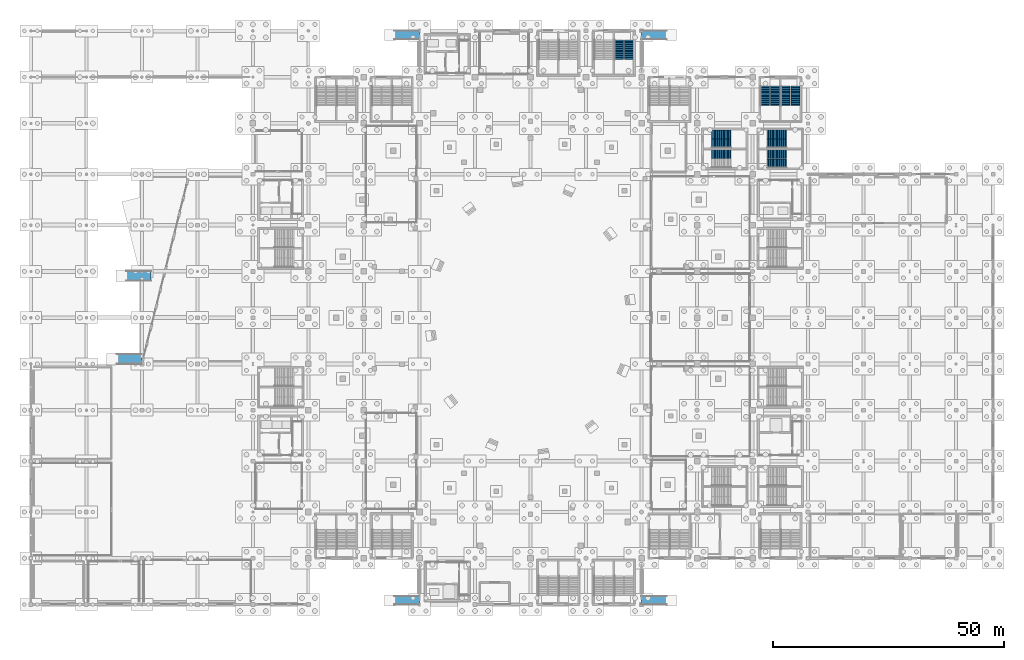
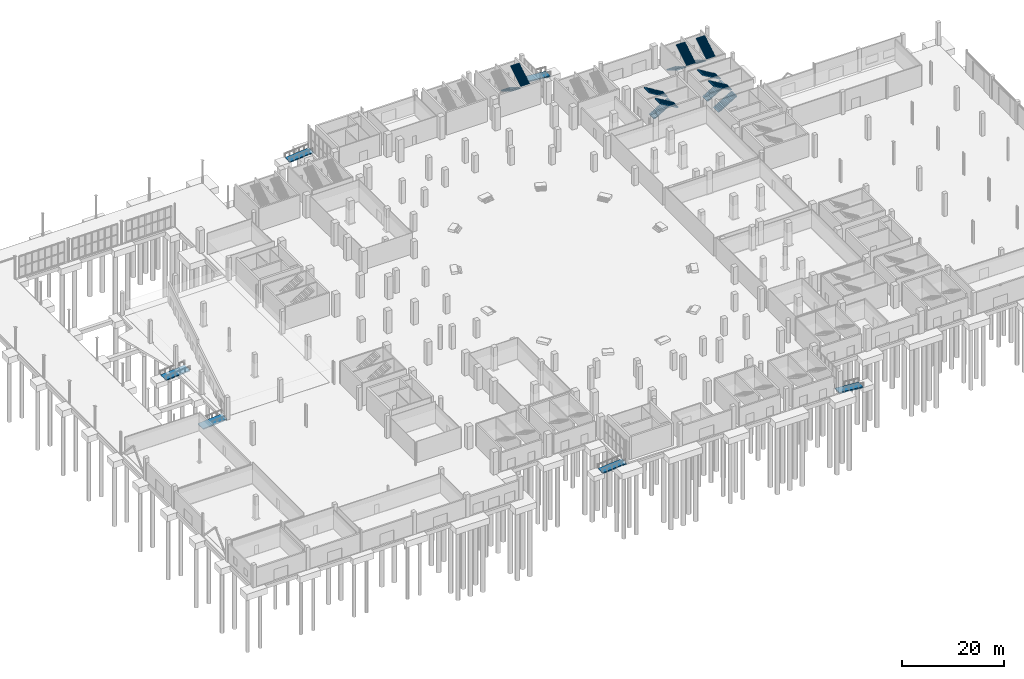
# One storey, part 62 of 70: 13 stair flights, 6 ramp flights, 13 elements without a shape of their own.
"""IFC4 building model written with IfcOpenShell, lengths in metres."""

from ifc_helpers import new_model, si_unit, direction, frame, origin, place, context, subcontext, project, spatial, polyline, outline, extrude, material, layer, layer_set, type_object, element, aggregate, save


model = new_model("IFC4")

# Units and contexts
model_context = context("Model", 3, precision=1e-05, world=origin(), true_north=direction((0.0, 1.0)))
body_context = subcontext(model_context, "Body", "Model", "MODEL_VIEW")
ifc_project = project(units=[si_unit("LENGTHUNIT", "METRE"), si_unit("AREAUNIT", "SQUARE_METRE"), si_unit("VOLUMEUNIT", "CUBIC_METRE"), si_unit("PLANEANGLEUNIT", "RADIAN"), si_unit("MASSUNIT", "GRAM", prefix="KILO")], contexts=[model_context])

# Site, building, storey
site_placement = place(None, origin())
site = spatial("IfcSite", under=ifc_project, at=site_placement, CompositionType="ELEMENT")
building_placement = place(site_placement, origin())
building = spatial("IfcBuilding", under=site, at=building_placement, Name="Brinegate Civic Arena", CompositionType="ELEMENT")
storey_placement = place(building_placement, origin())
storey = spatial("IfcBuildingStorey", under=building, at=storey_placement, Name="L00", CompositionType="ELEMENT", Elevation=0.0)

# Stair, stair flights
ifc_material_1 = material(Name="Concrete C40/50", Category="concrete")
stair_type_1 = type_object("IfcStairType", Name="STAIR-EXIT-3700", PredefinedType="HALF_TURN_STAIR", material=ifc_material_1)
stair_1_placement = place(storey_placement, origin())
stair_1 = element("IfcStair", 1, at=stair_1_placement, inside=storey, type_object=stair_type_1, Name="Protected Exit Stair ST-03B (L00)", PredefinedType="HALF_TURN_STAIR")
ifc_layer_1 = layer(ifc_material_1, 0.179931640625, Name="Concrete C40/50")
ifc_layer_set_1 = layer_set([ifc_layer_1], Name="Concrete C40/50")
stair_flight_type_1 = type_object("IfcStairFlightType", Name="FLIGHT-EXIT-3700", PredefinedType="STRAIGHT", material=ifc_layer_set_1)
stair_flight_1_placement = place(storey_placement, frame((127.139892578125, 122.030029296875, 0.0), z_axis=(0.0, 0.0, 1.0), x_axis=(0.0, -1.0, 0.0)))
stair_flight_1 = element("IfcStairFlight", 2, at=stair_flight_1_placement, type_object=stair_flight_type_1, Name="ST-03B flight 1", NumberOfRisers=16, NumberOfTreads=15, PredefinedType="STRAIGHT", RiserHeight=0.16875, TreadLength=0.28, context=body_context, shape_type="SweptSolid", body=[
    extrude(outline(polyline([(0.0, 0.0), (0.0, 0.168701171875), (0.280029296875, 0.168701171875), (0.280029296875, 0.33740234375), (0.56005859375, 0.33740234375), (0.56005859375, 0.50634765625), (0.840087890625, 0.50634765625), (0.840087890625, 0.675048828125), (1.1201171875, 0.675048828125), (1.1201171875, 0.84375), (1.39990234375, 0.84375), (1.39990234375, 1.012451171875), (1.679931640625, 1.012451171875), (1.679931640625, 1.18115234375), (1.9599609375, 1.18115234375), (1.9599609375, 1.35009765625), (2.239990234375, 1.35009765625), (2.239990234375, 1.518798828125), (2.52001953125, 1.518798828125), (2.52001953125, 1.6875), (2.800048828125, 1.6875), (2.800048828125, 1.856201171875), (3.080078125, 1.856201171875), (3.080078125, 2.02490234375), (3.360107421875, 2.02490234375), (3.360107421875, 2.19384765625), (3.639892578125, 2.19384765625), (3.639892578125, 2.362548828125), (3.919921875, 2.362548828125), (3.919921875, 2.53125), (4.199951171875, 2.53125), (4.199951171875, 2.699951171875), (4.199951171875, 2.3212890625), (0.3486328125, 0.0), (0.0, 0.0)])), frame((0.0, 0.97998046875, 0.0), z_axis=(0.0, -1.0, 0.0), x_axis=(1.0, 0.0, 0.0)), (0.0, 0.0, 1.0), 1.9599609375),
])
stair_flight_2_placement = place(storey_placement, frame((129.260009765625, 117.830078125, 2.699951171875), z_axis=(0.0, 0.0, 1.0), x_axis=(0.0, 1.0, 0.0)))
stair_flight_2 = element("IfcStairFlight", 3, at=stair_flight_2_placement, type_object=stair_flight_type_1, Name="ST-03B flight 2", NumberOfRisers=16, NumberOfTreads=15, PredefinedType="STRAIGHT", RiserHeight=0.16875, TreadLength=0.28, context=body_context, shape_type="SweptSolid", body=[
    extrude(outline(polyline([(0.0, 0.0), (0.0, 0.168701171875), (0.280029296875, 0.168701171875), (0.280029296875, 0.33740234375), (0.56005859375, 0.33740234375), (0.56005859375, 0.50634765625), (0.840087890625, 0.50634765625), (0.840087890625, 0.675048828125), (1.1201171875, 0.675048828125), (1.1201171875, 0.84375), (1.39990234375, 0.84375), (1.39990234375, 1.012451171875), (1.679931640625, 1.012451171875), (1.679931640625, 1.18115234375), (1.9599609375, 1.18115234375), (1.9599609375, 1.35009765625), (2.239990234375, 1.35009765625), (2.239990234375, 1.518798828125), (2.52001953125, 1.518798828125), (2.52001953125, 1.6875), (2.800048828125, 1.6875), (2.800048828125, 1.856201171875), (3.080078125, 1.856201171875), (3.080078125, 2.02490234375), (3.360107421875, 2.02490234375), (3.360107421875, 2.19384765625), (3.639892578125, 2.19384765625), (3.639892578125, 2.362548828125), (3.919921875, 2.362548828125), (3.919921875, 2.53125), (4.199951171875, 2.53125), (4.199951171875, 2.699951171875), (4.199951171875, 2.3212890625), (0.3486328125, 0.0), (0.0, 0.0)])), frame((0.0, 0.97998046875, 0.0), z_axis=(0.0, -1.0, 0.0), x_axis=(1.0, 0.0, 0.0)), (0.0, 0.0, 1.0), 1.9599609375),
])
aggregate(stair_1, [stair_flight_1, stair_flight_2])

stair_2_placement = place(storey_placement, origin())
stair_2 = element("IfcStair", 4, at=stair_2_placement, inside=storey, type_object=stair_type_1, Name="Protected Exit Stair ST-05B (L00)", PredefinedType="HALF_TURN_STAIR")
stair_flight_3_placement = place(storey_placement, frame((163.139892578125, 112.030029296875, 0.0), z_axis=(0.0, 0.0, 1.0), x_axis=(0.0, -1.0, 0.0)))
stair_flight_3 = element("IfcStairFlight", 5, at=stair_flight_3_placement, type_object=stair_flight_type_1, Name="ST-05B flight 1", NumberOfRisers=16, NumberOfTreads=15, PredefinedType="STRAIGHT", RiserHeight=0.16875, TreadLength=0.28, context=body_context, shape_type="SweptSolid", body=[
    extrude(outline(polyline([(0.0, 0.0), (0.0, 0.168701171875), (0.280029296875, 0.168701171875), (0.280029296875, 0.33740234375), (0.56005859375, 0.33740234375), (0.56005859375, 0.50634765625), (0.840087890625, 0.50634765625), (0.840087890625, 0.675048828125), (1.1201171875, 0.675048828125), (1.1201171875, 0.84375), (1.39990234375, 0.84375), (1.39990234375, 1.012451171875), (1.679931640625, 1.012451171875), (1.679931640625, 1.18115234375), (1.9599609375, 1.18115234375), (1.9599609375, 1.35009765625), (2.239990234375, 1.35009765625), (2.239990234375, 1.518798828125), (2.52001953125, 1.518798828125), (2.52001953125, 1.6875), (2.800048828125, 1.6875), (2.800048828125, 1.856201171875), (3.080078125, 1.856201171875), (3.080078125, 2.02490234375), (3.360107421875, 2.02490234375), (3.360107421875, 2.19384765625), (3.639892578125, 2.19384765625), (3.639892578125, 2.362548828125), (3.919921875, 2.362548828125), (3.919921875, 2.53125), (4.199951171875, 2.53125), (4.199951171875, 2.699951171875), (4.199951171875, 2.3212890625), (0.3486328125, 0.0), (0.0, 0.0)])), frame((0.0, 0.97998046875, 0.0), z_axis=(0.0, -1.0, 0.0), x_axis=(1.0, 0.0, 0.0)), (0.0, 0.0, 1.0), 1.9599609375),
])
stair_flight_4_placement = place(storey_placement, frame((165.31005859375, 107.830078125, 2.699951171875), z_axis=(0.0, 0.0, 1.0), x_axis=(0.0, 1.0, 0.0)))
stair_flight_4 = element("IfcStairFlight", 6, at=stair_flight_4_placement, type_object=stair_flight_type_1, Name="ST-05B flight 2", NumberOfRisers=16, NumberOfTreads=15, PredefinedType="STRAIGHT", RiserHeight=0.16875, TreadLength=0.28, context=body_context, shape_type="SweptSolid", body=[
    extrude(outline(polyline([(0.0, 0.0), (0.0, 0.168701171875), (0.280029296875, 0.168701171875), (0.280029296875, 0.33740234375), (0.56005859375, 0.33740234375), (0.56005859375, 0.50634765625), (0.840087890625, 0.50634765625), (0.840087890625, 0.675048828125), (1.1201171875, 0.675048828125), (1.1201171875, 0.84375), (1.39990234375, 0.84375), (1.39990234375, 1.012451171875), (1.679931640625, 1.012451171875), (1.679931640625, 1.18115234375), (1.9599609375, 1.18115234375), (1.9599609375, 1.35009765625), (2.239990234375, 1.35009765625), (2.239990234375, 1.518798828125), (2.52001953125, 1.518798828125), (2.52001953125, 1.6875), (2.800048828125, 1.6875), (2.800048828125, 1.856201171875), (3.080078125, 1.856201171875), (3.080078125, 2.02490234375), (3.360107421875, 2.02490234375), (3.360107421875, 2.19384765625), (3.639892578125, 2.19384765625), (3.639892578125, 2.362548828125), (3.919921875, 2.362548828125), (3.919921875, 2.53125), (4.199951171875, 2.53125), (4.199951171875, 2.699951171875), (4.199951171875, 2.3212890625), (0.3486328125, 0.0), (0.0, 0.0)])), frame((0.0, 0.97998046875, 0.0), z_axis=(0.0, -1.0, 0.0), x_axis=(1.0, 0.0, 0.0)), (0.0, 0.0, 1.0), 1.9599609375),
])
aggregate(stair_2, [stair_flight_3, stair_flight_4])

stair_3_placement = place(storey_placement, origin())
stair_3 = element("IfcStair", 7, at=stair_3_placement, inside=storey, type_object=stair_type_1, Name="Protected Exit Stair ST-18B (L00)", PredefinedType="HALF_TURN_STAIR")
stair_flight_5_placement = place(storey_placement, frame((147.169921875, 99.639892578125, 0.0), z_axis=(0.0, 0.0, 1.0), x_axis=(1.0, 0.0, 0.0)))
stair_flight_5 = element("IfcStairFlight", 8, at=stair_flight_5_placement, type_object=stair_flight_type_1, Name="ST-18B flight 1", NumberOfRisers=16, NumberOfTreads=15, PredefinedType="STRAIGHT", RiserHeight=0.16875, TreadLength=0.28, context=body_context, shape_type="SweptSolid", body=[
    extrude(outline(polyline([(0.0, 0.0), (0.0, 0.168701171875), (0.280029296875, 0.168701171875), (0.280029296875, 0.33740234375), (0.56005859375, 0.33740234375), (0.56005859375, 0.50634765625), (0.840087890625, 0.50634765625), (0.840087890625, 0.675048828125), (1.1201171875, 0.675048828125), (1.1201171875, 0.84375), (1.39990234375, 0.84375), (1.39990234375, 1.012451171875), (1.679931640625, 1.012451171875), (1.679931640625, 1.18115234375), (1.9599609375, 1.18115234375), (1.9599609375, 1.35009765625), (2.239990234375, 1.35009765625), (2.239990234375, 1.518798828125), (2.52001953125, 1.518798828125), (2.52001953125, 1.6875), (2.800048828125, 1.6875), (2.800048828125, 1.856201171875), (3.080078125, 1.856201171875), (3.080078125, 2.02490234375), (3.360107421875, 2.02490234375), (3.360107421875, 2.19384765625), (3.639892578125, 2.19384765625), (3.639892578125, 2.362548828125), (3.919921875, 2.362548828125), (3.919921875, 2.53125), (4.199951171875, 2.53125), (4.199951171875, 2.699951171875), (4.199951171875, 2.3212890625), (0.3486328125, 0.0), (0.0, 0.0)])), frame((0.0, 0.97998046875, 0.0), z_axis=(0.0, -1.0, 0.0), x_axis=(1.0, 0.0, 0.0)), (0.0, 0.0, 1.0), 1.9599609375),
])
stair_flight_6_placement = place(storey_placement, frame((151.3701171875, 101.610107421875, 2.699951171875), z_axis=(0.0, 0.0, 1.0), x_axis=(-1.0, 0.0, 0.0)))
stair_flight_6 = element("IfcStairFlight", 9, at=stair_flight_6_placement, type_object=stair_flight_type_1, Name="ST-18B flight 2", NumberOfRisers=16, NumberOfTreads=15, PredefinedType="STRAIGHT", RiserHeight=0.16875, TreadLength=0.28, context=body_context, shape_type="SweptSolid", body=[
    extrude(outline(polyline([(0.0, 0.0), (0.0, 0.168701171875), (0.280029296875, 0.168701171875), (0.280029296875, 0.33740234375), (0.56005859375, 0.33740234375), (0.56005859375, 0.50634765625), (0.840087890625, 0.50634765625), (0.840087890625, 0.675048828125), (1.1201171875, 0.675048828125), (1.1201171875, 0.84375), (1.39990234375, 0.84375), (1.39990234375, 1.012451171875), (1.679931640625, 1.012451171875), (1.679931640625, 1.18115234375), (1.9599609375, 1.18115234375), (1.9599609375, 1.35009765625), (2.239990234375, 1.35009765625), (2.239990234375, 1.518798828125), (2.52001953125, 1.518798828125), (2.52001953125, 1.6875), (2.800048828125, 1.6875), (2.800048828125, 1.856201171875), (3.080078125, 1.856201171875), (3.080078125, 2.02490234375), (3.360107421875, 2.02490234375), (3.360107421875, 2.19384765625), (3.639892578125, 2.19384765625), (3.639892578125, 2.362548828125), (3.919921875, 2.362548828125), (3.919921875, 2.53125), (4.199951171875, 2.53125), (4.199951171875, 2.699951171875), (4.199951171875, 2.3212890625), (0.3486328125, 0.0), (0.0, 0.0)])), frame((0.0, 0.97998046875, 0.0), z_axis=(0.0, -1.0, 0.0), x_axis=(1.0, 0.0, 0.0)), (0.0, 0.0, 1.0), 1.9599609375),
])
aggregate(stair_3, [stair_flight_5, stair_flight_6])

stair_4_placement = place(storey_placement, origin())
stair_4 = element("IfcStair", 10, at=stair_4_placement, inside=storey, type_object=stair_type_1, Name="Protected Exit Stair ST-20B (L00)", PredefinedType="HALF_TURN_STAIR")
stair_flight_7_placement = place(storey_placement, frame((159.169921875, 99.639892578125, 0.0), z_axis=(0.0, 0.0, 1.0), x_axis=(1.0, 0.0, 0.0)))
stair_flight_7 = element("IfcStairFlight", 11, at=stair_flight_7_placement, type_object=stair_flight_type_1, Name="ST-20B flight 1", NumberOfRisers=16, NumberOfTreads=15, PredefinedType="STRAIGHT", RiserHeight=0.16875, TreadLength=0.28, context=body_context, shape_type="SweptSolid", body=[
    extrude(outline(polyline([(0.0, 0.0), (0.0, 0.168701171875), (0.280029296875, 0.168701171875), (0.280029296875, 0.33740234375), (0.56005859375, 0.33740234375), (0.56005859375, 0.50634765625), (0.840087890625, 0.50634765625), (0.840087890625, 0.675048828125), (1.1201171875, 0.675048828125), (1.1201171875, 0.84375), (1.39990234375, 0.84375), (1.39990234375, 1.012451171875), (1.679931640625, 1.012451171875), (1.679931640625, 1.18115234375), (1.9599609375, 1.18115234375), (1.9599609375, 1.35009765625), (2.239990234375, 1.35009765625), (2.239990234375, 1.518798828125), (2.52001953125, 1.518798828125), (2.52001953125, 1.6875), (2.800048828125, 1.6875), (2.800048828125, 1.856201171875), (3.080078125, 1.856201171875), (3.080078125, 2.02490234375), (3.360107421875, 2.02490234375), (3.360107421875, 2.19384765625), (3.639892578125, 2.19384765625), (3.639892578125, 2.362548828125), (3.919921875, 2.362548828125), (3.919921875, 2.53125), (4.199951171875, 2.53125), (4.199951171875, 2.699951171875), (4.199951171875, 2.3212890625), (0.3486328125, 0.0), (0.0, 0.0)])), frame((0.0, 0.97998046875, 0.0), z_axis=(0.0, -1.0, 0.0), x_axis=(1.0, 0.0, 0.0)), (0.0, 0.0, 1.0), 1.9599609375),
])
stair_flight_8_placement = place(storey_placement, frame((163.3701171875, 101.659912109375, 2.699951171875), z_axis=(0.0, 0.0, 1.0), x_axis=(-1.0, 0.0, 0.0)))
stair_flight_8 = element("IfcStairFlight", 12, at=stair_flight_8_placement, type_object=stair_flight_type_1, Name="ST-20B flight 2", NumberOfRisers=16, NumberOfTreads=15, PredefinedType="STRAIGHT", RiserHeight=0.16875, TreadLength=0.28, context=body_context, shape_type="SweptSolid", body=[
    extrude(outline(polyline([(0.0, 0.0), (0.0, 0.168701171875), (0.280029296875, 0.168701171875), (0.280029296875, 0.33740234375), (0.56005859375, 0.33740234375), (0.56005859375, 0.50634765625), (0.840087890625, 0.50634765625), (0.840087890625, 0.675048828125), (1.1201171875, 0.675048828125), (1.1201171875, 0.84375), (1.39990234375, 0.84375), (1.39990234375, 1.012451171875), (1.679931640625, 1.012451171875), (1.679931640625, 1.18115234375), (1.9599609375, 1.18115234375), (1.9599609375, 1.35009765625), (2.239990234375, 1.35009765625), (2.239990234375, 1.518798828125), (2.52001953125, 1.518798828125), (2.52001953125, 1.6875), (2.800048828125, 1.6875), (2.800048828125, 1.856201171875), (3.080078125, 1.856201171875), (3.080078125, 2.02490234375), (3.360107421875, 2.02490234375), (3.360107421875, 2.19384765625), (3.639892578125, 2.19384765625), (3.639892578125, 2.362548828125), (3.919921875, 2.362548828125), (3.919921875, 2.53125), (4.199951171875, 2.53125), (4.199951171875, 2.699951171875), (4.199951171875, 2.3212890625), (0.3486328125, 0.0), (0.0, 0.0)])), frame((0.0, 0.97998046875, 0.0), z_axis=(0.0, -1.0, 0.0), x_axis=(1.0, 0.0, 0.0)), (0.0, 0.0, 1.0), 1.9599609375),
])
aggregate(stair_4, [stair_flight_7, stair_flight_8])

stair_type_2 = type_object("IfcStairType", Name="STAIR-EXIT-3850", PredefinedType="HALF_TURN_STAIR", material=ifc_material_1)
stair_5_placement = place(storey_placement, origin())
stair_5 = element("IfcStair", 13, at=stair_5_placement, inside=storey, type_object=stair_type_2, Name="Protected Exit Stair ST-05A (L00)", PredefinedType="HALF_TURN_STAIR")
ifc_layer_2 = layer(ifc_material_1, 0.179931640625, Name="Concrete C40/50")
ifc_layer_set_2 = layer_set([ifc_layer_2], Name="Concrete C40/50")
stair_flight_type_2 = type_object("IfcStairFlightType", Name="FLIGHT-EXIT-3850", PredefinedType="STRAIGHT", material=ifc_layer_set_2)
stair_flight_9_placement = place(storey_placement, frame((158.699951171875, 112.030029296875, 0.0), z_axis=(0.0, 0.0, 1.0), x_axis=(0.0, -1.0, 0.0)))
stair_flight_9 = element("IfcStairFlight", 14, at=stair_flight_9_placement, type_object=stair_flight_type_2, Name="ST-05A flight 1", NumberOfRisers=16, NumberOfTreads=15, PredefinedType="STRAIGHT", RiserHeight=0.16875, TreadLength=0.28, context=body_context, shape_type="SweptSolid", body=[
    extrude(outline(polyline([(0.0, 0.0), (0.0, 0.168701171875), (0.280029296875, 0.168701171875), (0.280029296875, 0.33740234375), (0.56005859375, 0.33740234375), (0.56005859375, 0.50634765625), (0.840087890625, 0.50634765625), (0.840087890625, 0.675048828125), (1.1201171875, 0.675048828125), (1.1201171875, 0.84375), (1.39990234375, 0.84375), (1.39990234375, 1.012451171875), (1.679931640625, 1.012451171875), (1.679931640625, 1.18115234375), (1.9599609375, 1.18115234375), (1.9599609375, 1.35009765625), (2.239990234375, 1.35009765625), (2.239990234375, 1.518798828125), (2.52001953125, 1.518798828125), (2.52001953125, 1.6875), (2.800048828125, 1.6875), (2.800048828125, 1.856201171875), (3.080078125, 1.856201171875), (3.080078125, 2.02490234375), (3.360107421875, 2.02490234375), (3.360107421875, 2.19384765625), (3.639892578125, 2.19384765625), (3.639892578125, 2.362548828125), (3.919921875, 2.362548828125), (3.919921875, 2.53125), (4.199951171875, 2.53125), (4.199951171875, 2.699951171875), (4.199951171875, 2.3212890625), (0.3486328125, 0.0), (0.0, 0.0)])), frame((0.0, 0.989990234375, 0.0), z_axis=(0.0, -1.0, 0.0), x_axis=(1.0, 0.0, 0.0)), (0.0, 0.0, 1.0), 1.97998046875),
])
stair_flight_10_placement = place(storey_placement, frame((160.85009765625, 107.830078125, 2.699951171875), z_axis=(0.0, 0.0, 1.0), x_axis=(0.0, 1.0, 0.0)))
stair_flight_10 = element("IfcStairFlight", 15, at=stair_flight_10_placement, type_object=stair_flight_type_2, Name="ST-05A flight 2", NumberOfRisers=16, NumberOfTreads=15, PredefinedType="STRAIGHT", RiserHeight=0.16875, TreadLength=0.28, context=body_context, shape_type="SweptSolid", body=[
    extrude(outline(polyline([(0.0, 0.0), (0.0, 0.168701171875), (0.280029296875, 0.168701171875), (0.280029296875, 0.33740234375), (0.56005859375, 0.33740234375), (0.56005859375, 0.50634765625), (0.840087890625, 0.50634765625), (0.840087890625, 0.675048828125), (1.1201171875, 0.675048828125), (1.1201171875, 0.84375), (1.39990234375, 0.84375), (1.39990234375, 1.012451171875), (1.679931640625, 1.012451171875), (1.679931640625, 1.18115234375), (1.9599609375, 1.18115234375), (1.9599609375, 1.35009765625), (2.239990234375, 1.35009765625), (2.239990234375, 1.518798828125), (2.52001953125, 1.518798828125), (2.52001953125, 1.6875), (2.800048828125, 1.6875), (2.800048828125, 1.856201171875), (3.080078125, 1.856201171875), (3.080078125, 2.02490234375), (3.360107421875, 2.02490234375), (3.360107421875, 2.19384765625), (3.639892578125, 2.19384765625), (3.639892578125, 2.362548828125), (3.919921875, 2.362548828125), (3.919921875, 2.53125), (4.199951171875, 2.53125), (4.199951171875, 2.699951171875), (4.199951171875, 2.3212890625), (0.3486328125, 0.0), (0.0, 0.0)])), frame((0.0, 0.989990234375, 0.0), z_axis=(0.0, -1.0, 0.0), x_axis=(1.0, 0.0, 0.0)), (0.0, 0.0, 1.0), 1.97998046875),
])
aggregate(stair_5, [stair_flight_9, stair_flight_10])

# Stair, stair flight
stair_6_placement = place(storey_placement, origin())
stair_6 = element("IfcStair", 16, at=stair_6_placement, inside=storey, type_object=stair_type_2, Name="Protected Exit Stair ST-18A (L00)", PredefinedType="HALF_TURN_STAIR")
stair_flight_11_placement = place(storey_placement, frame((151.3701171875, 97.35791015625, 2.699951171875), z_axis=(0.0, 0.0, 1.0), x_axis=(-1.0, 0.0, 0.0)))
stair_flight_11 = element("IfcStairFlight", 17, at=stair_flight_11_placement, type_object=stair_flight_type_2, Name="ST-18A flight 2", NumberOfRisers=16, NumberOfTreads=15, PredefinedType="STRAIGHT", RiserHeight=0.16875, TreadLength=0.28, context=body_context, shape_type="SweptSolid", body=[
    extrude(outline(polyline([(0.0, 0.0), (0.0, 0.168701171875), (0.280029296875, 0.168701171875), (0.280029296875, 0.33740234375), (0.56005859375, 0.33740234375), (0.56005859375, 0.50634765625), (0.840087890625, 0.50634765625), (0.840087890625, 0.675048828125), (1.1201171875, 0.675048828125), (1.1201171875, 0.84375), (1.39990234375, 0.84375), (1.39990234375, 1.012451171875), (1.679931640625, 1.012451171875), (1.679931640625, 1.18115234375), (1.9599609375, 1.18115234375), (1.9599609375, 1.35009765625), (2.239990234375, 1.35009765625), (2.239990234375, 1.518798828125), (2.52001953125, 1.518798828125), (2.52001953125, 1.6875), (2.800048828125, 1.6875), (2.800048828125, 1.856201171875), (3.080078125, 1.856201171875), (3.080078125, 2.02490234375), (3.360107421875, 2.02490234375), (3.360107421875, 2.19384765625), (3.639892578125, 2.19384765625), (3.639892578125, 2.362548828125), (3.919921875, 2.362548828125), (3.919921875, 2.53125), (4.199951171875, 2.53125), (4.199951171875, 2.699951171875), (4.199951171875, 2.3212890625), (0.3486328125, 0.0), (0.0, 0.0)])), frame((0.0, 0.982421875, 0.0), z_axis=(0.0, -1.0, 0.0), x_axis=(1.0, 0.0, 0.0)), (0.0, 0.0, 1.0), 1.965087890625),
])
aggregate(stair_6, [stair_flight_11])

# Stair, stair flights
stair_7_placement = place(storey_placement, origin())
stair_7 = element("IfcStair", 18, at=stair_7_placement, inside=storey, type_object=stair_type_2, Name="Protected Exit Stair ST-20A (L00)", PredefinedType="HALF_TURN_STAIR")
stair_flight_12_placement = place(storey_placement, frame((159.169921875, 95.35009765625, 0.0), z_axis=(0.0, 0.0, 1.0), x_axis=(1.0, 0.0, 0.0)))
stair_flight_12 = element("IfcStairFlight", 19, at=stair_flight_12_placement, type_object=stair_flight_type_2, Name="ST-20A flight 1", NumberOfRisers=16, NumberOfTreads=15, PredefinedType="STRAIGHT", RiserHeight=0.16875, TreadLength=0.28, context=body_context, shape_type="SweptSolid", body=[
    extrude(outline(polyline([(0.0, 0.0), (0.0, 0.168701171875), (0.280029296875, 0.168701171875), (0.280029296875, 0.33740234375), (0.56005859375, 0.33740234375), (0.56005859375, 0.50634765625), (0.840087890625, 0.50634765625), (0.840087890625, 0.675048828125), (1.1201171875, 0.675048828125), (1.1201171875, 0.84375), (1.39990234375, 0.84375), (1.39990234375, 1.012451171875), (1.679931640625, 1.012451171875), (1.679931640625, 1.18115234375), (1.9599609375, 1.18115234375), (1.9599609375, 1.35009765625), (2.239990234375, 1.35009765625), (2.239990234375, 1.518798828125), (2.52001953125, 1.518798828125), (2.52001953125, 1.6875), (2.800048828125, 1.6875), (2.800048828125, 1.856201171875), (3.080078125, 1.856201171875), (3.080078125, 2.02490234375), (3.360107421875, 2.02490234375), (3.360107421875, 2.19384765625), (3.639892578125, 2.19384765625), (3.639892578125, 2.362548828125), (3.919921875, 2.362548828125), (3.919921875, 2.53125), (4.199951171875, 2.53125), (4.199951171875, 2.699951171875), (4.199951171875, 2.3212890625), (0.3486328125, 0.0), (0.0, 0.0)])), frame((0.0, 0.989990234375, 0.0), z_axis=(0.0, -1.0, 0.0), x_axis=(1.0, 0.0, 0.0)), (0.0, 0.0, 1.0), 1.97998046875),
])
stair_flight_13_placement = place(storey_placement, frame((163.3701171875, 97.35009765625, 2.699951171875), z_axis=(0.0, 0.0, 1.0), x_axis=(-1.0, 0.0, 0.0)))
stair_flight_13 = element("IfcStairFlight", 20, at=stair_flight_13_placement, type_object=stair_flight_type_2, Name="ST-20A flight 2", NumberOfRisers=16, NumberOfTreads=15, PredefinedType="STRAIGHT", RiserHeight=0.16875, TreadLength=0.28, context=body_context, shape_type="SweptSolid", body=[
    extrude(outline(polyline([(0.0, 0.0), (0.0, 0.168701171875), (0.280029296875, 0.168701171875), (0.280029296875, 0.33740234375), (0.56005859375, 0.33740234375), (0.56005859375, 0.50634765625), (0.840087890625, 0.50634765625), (0.840087890625, 0.675048828125), (1.1201171875, 0.675048828125), (1.1201171875, 0.84375), (1.39990234375, 0.84375), (1.39990234375, 1.012451171875), (1.679931640625, 1.012451171875), (1.679931640625, 1.18115234375), (1.9599609375, 1.18115234375), (1.9599609375, 1.35009765625), (2.239990234375, 1.35009765625), (2.239990234375, 1.518798828125), (2.52001953125, 1.518798828125), (2.52001953125, 1.6875), (2.800048828125, 1.6875), (2.800048828125, 1.856201171875), (3.080078125, 1.856201171875), (3.080078125, 2.02490234375), (3.360107421875, 2.02490234375), (3.360107421875, 2.19384765625), (3.639892578125, 2.19384765625), (3.639892578125, 2.362548828125), (3.919921875, 2.362548828125), (3.919921875, 2.53125), (4.199951171875, 2.53125), (4.199951171875, 2.699951171875), (4.199951171875, 2.3212890625), (0.3486328125, 0.0), (0.0, 0.0)])), frame((0.0, 0.989990234375, 0.0), z_axis=(0.0, -1.0, 0.0), x_axis=(1.0, 0.0, 0.0)), (0.0, 0.0, 1.0), 1.97998046875),
])
aggregate(stair_7, [stair_flight_12, stair_flight_13])

# Ramp, ramp flight
ifc_material_2 = material(Name="Concrete C35/45", Category="concrete")
ramp_type_1 = type_object("IfcRampType", Name="RAMP-PLINTH-2100", PredefinedType="STRAIGHT_RUN_RAMP", material=ifc_material_2)
ramp_1_placement = place(storey_placement, origin())
ramp_1 = element("IfcRamp", 21, at=ramp_1_placement, inside=storey, type_object=ramp_type_1, Name="Step-Free Accessible Plinth Ramp RP-01", PredefinedType="STRAIGHT_RUN_RAMP")
ifc_layer_3 = layer(ifc_material_2, 0.25, Name="Concrete C35/45")
ifc_layer_set_3 = layer_set([ifc_layer_3], Name="Concrete C35/45")
ramp_flight_type_1 = type_object("IfcRampFlightType", Name="RAMP-FLIGHT-250", PredefinedType="STRAIGHT", material=ifc_layer_set_3)
ramp_flight_1_placement = place(storey_placement, frame((18.60009765625, 52.0, -0.449951171875), z_axis=(-0.083038022323, 0.0, 0.996546379678), x_axis=(0.996546379678, 0.0, 0.083038022323)))
ramp_flight_1 = element("IfcRampFlight", 22, at=ramp_flight_1_placement, type_object=ramp_flight_type_1, Name="Accessible Ramp Flight RP-01-F1", PredefinedType="STRAIGHT", context=body_context, shape_type="SweptSolid", body=[
    extrude(outline(polyline([(0.0, 0.0), (5.418616186731482, 0.0), (5.418616186731482, 2.10009765625), (0.0, 2.10009765625), (0.0, 0.0)])), origin(), (0.0, 0.0, -1.0), 0.25),
])
aggregate(ramp_1, [ramp_flight_1])

ramp_2_placement = place(storey_placement, origin())
ramp_2 = element("IfcRamp", 23, at=ramp_2_placement, inside=storey, type_object=ramp_type_1, Name="Step-Free Accessible Plinth Ramp RP-02", PredefinedType="STRAIGHT_RUN_RAMP")
ramp_flight_2_placement = place(storey_placement, frame((20.60009765625, 70.0, -0.449951171875), z_axis=(-0.083038022323, 0.0, 0.996546379678), x_axis=(0.996546379678, 0.0, 0.083038022323)))
ramp_flight_2 = element("IfcRampFlight", 24, at=ramp_flight_2_placement, type_object=ramp_flight_type_1, Name="Accessible Ramp Flight RP-02-F1", PredefinedType="STRAIGHT", context=body_context, shape_type="SweptSolid", body=[
    extrude(outline(polyline([(0.0, 0.0), (5.418616186731482, 0.0), (5.418616186731482, 2.10009765625), (0.0, 2.10009765625), (0.0, 0.0)])), origin(), (0.0, 0.0, -1.0), 0.25),
])
aggregate(ramp_2, [ramp_flight_2])

ramp_type_2 = type_object("IfcRampType", Name="RAMP-PLINTH-1800", PredefinedType="STRAIGHT_RUN_RAMP", material=ifc_material_2)
ramp_3_placement = place(storey_placement, origin())
ramp_3 = element("IfcRamp", 25, at=ramp_3_placement, inside=storey, type_object=ramp_type_2, Name="Step-Free Accessible Plinth Ramp RP-05", PredefinedType="STRAIGHT_RUN_RAMP")
ramp_flight_3_placement = place(storey_placement, frame((78.60009765625, 122.199951171875, -0.449951171875), z_axis=(-0.083038022323, 0.0, 0.996546379678), x_axis=(0.996546379678, 0.0, 0.083038022323)))
ramp_flight_3 = element("IfcRampFlight", 26, at=ramp_flight_3_placement, type_object=ramp_flight_type_1, Name="Accessible Ramp Flight RP-05-F1", PredefinedType="STRAIGHT", context=body_context, shape_type="SweptSolid", body=[
    extrude(outline(polyline([(0.0, 0.0), (5.418616186731482, 0.0), (5.418616186731482, 1.8000488281250004), (0.0, 1.8000488281250004), (0.0, 0.0)])), origin(), (0.0, 0.0, -1.0), 0.25),
])
aggregate(ramp_3, [ramp_flight_3])

ramp_4_placement = place(storey_placement, origin())
ramp_4 = element("IfcRamp", 27, at=ramp_4_placement, inside=storey, type_object=ramp_type_2, Name="Step-Free Accessible Plinth Ramp RP-03", PredefinedType="STRAIGHT_RUN_RAMP")
ifc_layer_4 = layer(ifc_material_2, 0.280029296875, Name="Concrete C35/45")
ifc_layer_set_4 = layer_set([ifc_layer_4], Name="Concrete C35/45")
ramp_flight_type_2 = type_object("IfcRampFlightType", Name="RAMP-FLIGHT-280", PredefinedType="STRAIGHT", material=ifc_layer_set_4)
ramp_flight_4_placement = place(storey_placement, frame((78.60009765625, 0.0, -0.449951171875), z_axis=(-0.083038022323, 0.0, 0.996546379678), x_axis=(0.996546379678, 0.0, 0.083038022323)))
ramp_flight_4 = element("IfcRampFlight", 28, at=ramp_flight_4_placement, type_object=ramp_flight_type_2, Name="Accessible Ramp Flight RP-03-F1", PredefinedType="STRAIGHT", context=body_context, shape_type="SweptSolid", body=[
    extrude(outline(polyline([(0.0, 0.0), (5.418616186731482, 0.0), (5.418616186731482, 1.8000488281250004), (0.0, 1.8000488281250004), (0.0, 0.0)])), origin(), (0.0, 0.0, -1.0), 0.280029296875),
])
aggregate(ramp_4, [ramp_flight_4])

ramp_5_placement = place(storey_placement, origin())
ramp_5 = element("IfcRamp", 29, at=ramp_5_placement, inside=storey, type_object=ramp_type_2, Name="Step-Free Accessible Plinth Ramp RP-04", PredefinedType="STRAIGHT_RUN_RAMP")
ramp_flight_5_placement = place(storey_placement, frame((137.39990234375, 1.800048828125, -0.449951171875), z_axis=(0.083038022323, 0.0, 0.996546379678), x_axis=(-0.996546379678, 0.0, 0.083038022323)))
ramp_flight_5 = element("IfcRampFlight", 30, at=ramp_flight_5_placement, type_object=ramp_flight_type_2, Name="Accessible Ramp Flight RP-04-F1", PredefinedType="STRAIGHT", context=body_context, shape_type="SweptSolid", body=[
    extrude(outline(polyline([(0.0, 0.0), (5.418616186731482, 0.0), (5.418616186731482, 1.8000488281250004), (0.0, 1.8000488281250004), (0.0, 0.0)])), origin(), (0.0, 0.0, -1.0), 0.280029296875),
])
aggregate(ramp_5, [ramp_flight_5])

ramp_6_placement = place(storey_placement, origin())
ramp_6 = element("IfcRamp", 31, at=ramp_6_placement, inside=storey, type_object=ramp_type_2, Name="Step-Free Accessible Plinth Ramp RP-06", PredefinedType="STRAIGHT_RUN_RAMP")
ramp_flight_6_placement = place(storey_placement, frame((137.39990234375, 124.0, -0.449951171875), z_axis=(0.083038022323, 0.0, 0.996546379678), x_axis=(-0.996546379678, 0.0, 0.083038022323)))
ramp_flight_6 = element("IfcRampFlight", 32, at=ramp_flight_6_placement, type_object=ramp_flight_type_2, Name="Accessible Ramp Flight RP-06-F1", PredefinedType="STRAIGHT", context=body_context, shape_type="SweptSolid", body=[
    extrude(outline(polyline([(0.0, 0.0), (5.418616186731482, 0.0), (5.418616186731482, 1.8000488281250004), (0.0, 1.8000488281250004), (0.0, 0.0)])), origin(), (0.0, 0.0, -1.0), 0.280029296875),
])
aggregate(ramp_6, [ramp_flight_6])

save(model, "model.ifc")
